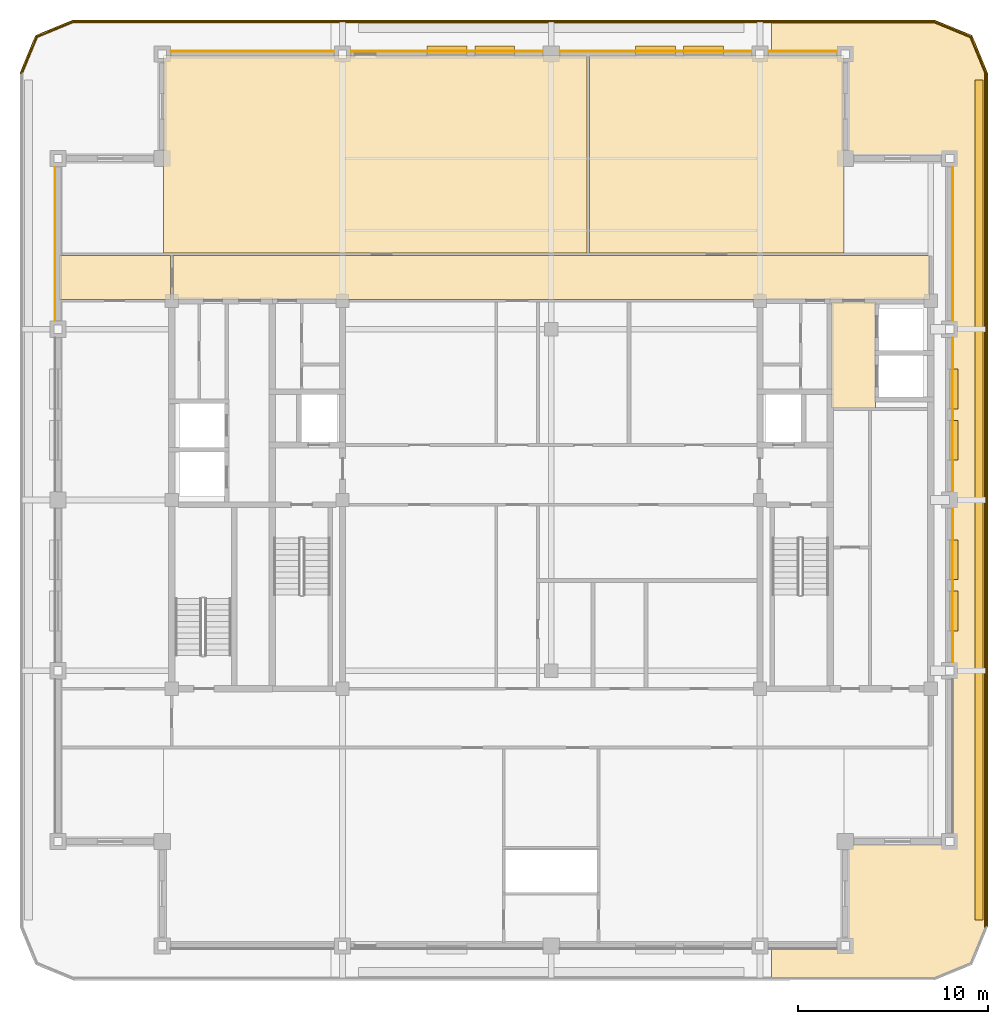
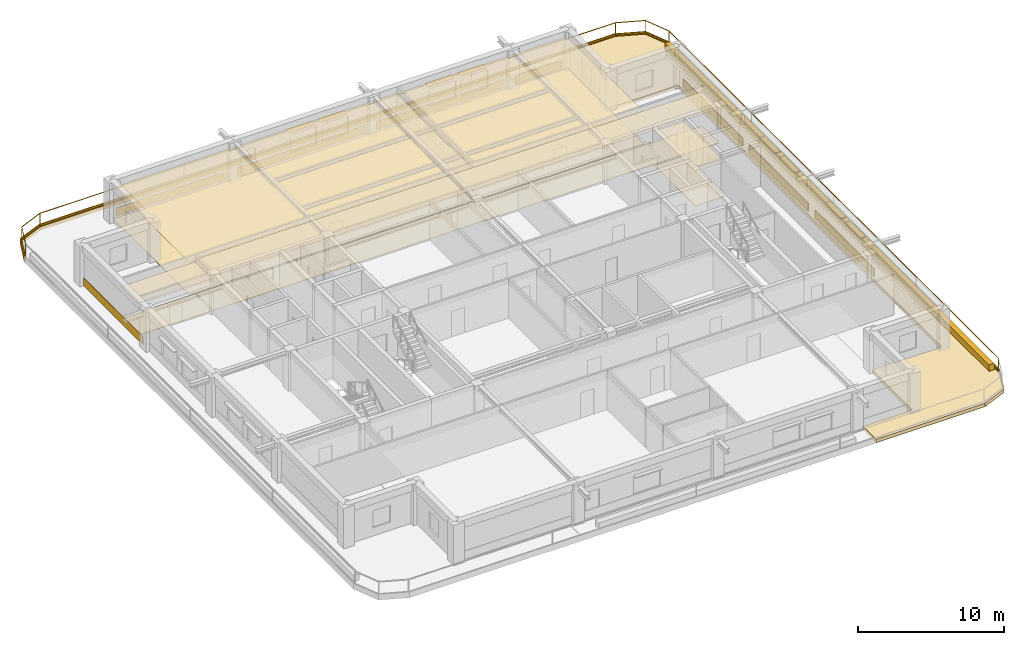
# One storey, part 11 of 11: 26 coverings, 8 shading devices, 2 railings.
"""IFC4 building model written with IfcOpenShell, lengths in metres."""

from ifc_helpers import new_model, si_unit, direction, frame, frame_2d, origin, origin_2d, place, context, subcontext, project, spatial, polyline, rectangle, outline, extrude, material, layer, layer_set, type_object, element, save


model = new_model("IFC4")

# Units and contexts
model_context = context("Model", 3, precision=1e-05, world=origin(), true_north=direction((0.0, 1.0)))
body_context = subcontext(model_context, "Body", "Model", "MODEL_VIEW")
ifc_project = project(units=[si_unit("LENGTHUNIT", "METRE"), si_unit("AREAUNIT", "SQUARE_METRE"), si_unit("VOLUMEUNIT", "CUBIC_METRE"), si_unit("PLANEANGLEUNIT", "RADIAN"), si_unit("MASSUNIT", "GRAM", prefix="KILO")], contexts=[model_context])

# Site, building, storey
site_placement = place(None, origin())
site = spatial("IfcSite", under=ifc_project, at=site_placement, CompositionType="ELEMENT")
building_placement = place(site_placement, origin())
building = spatial("IfcBuilding", under=site, at=building_placement, Name="Zulmaris Gate Convention Tower", CompositionType="ELEMENT")
storey_placement = place(building_placement, frame((0.0, 0.0, 274.320068359375)))
storey = spatial("IfcBuildingStorey", under=building, at=storey_placement, Name="L73", CompositionType="ELEMENT", Elevation=274.320068359375)

# Coverings
ifc_material_1 = material(Name="Precast concrete C40/50", Category="concrete")
ifc_layer_1 = layer(ifc_material_1, 0.0400390625, Name="Precast concrete C40/50")
ifc_layer_set_1 = layer_set([ifc_layer_1], Name="Precast concrete C40/50")
covering_type_1 = type_object("IfcCoveringType", Name="CLAD-SPANDREL-PRECAST", PredefinedType="CLADDING", material=ifc_layer_set_1)
covering_1_placement = place(storey_placement, frame((-11.455078125, 23.64990234375, 0.0), z_axis=(0.0, 0.0, 1.0), x_axis=(-1.0, 0.0, 0.0)))
element("IfcCovering", 1, at=covering_1_placement, inside=storey, type_object=covering_type_1, Name="CLD-L73-N-0_0", PredefinedType="CLADDING", context=body_context, shape_type="SweptSolid", body=[
    extrude(rectangle(XDim=8.58984375, YDim=0.0400390625, at=frame_2d((4.294921875, 0.0))), origin(), (0.0, 0.0, 1.0), 0.679931640625),
])
for number, where, z_axis, x_axis, name in (
    (2, (-0.455078125, 23.64990234375, 0.0), (0.0, 0.0, 1.0), (-1.0, 0.0, 0.0), "CLD-L73-N-1_0"),
    (3, (10.544921875, 23.64990234375, 0.0), (0.0, 0.0, 1.0), (-1.0, 0.0, 0.0), "CLD-L73-N-2_0"),
):
    element("IfcCovering", number, at=place(storey_placement, frame(where, z_axis=z_axis, x_axis=x_axis)), inside=storey, type_object=covering_type_1, Name=name, PredefinedType="CLADDING", context=body_context, shape_type="SweptSolid", body=[
        extrude(rectangle(XDim=10.08984375, YDim=0.0400390625, at=frame_2d((5.044921875, 0.0))), origin(), (0.0, 0.0, 1.0), 0.679931640625),
    ])
covering_2_placement = place(storey_placement, frame((15.044921875, 23.64990234375, 0.0), z_axis=(0.0, 0.0, 1.0), x_axis=(-1.0, 0.0, 0.0)))
element("IfcCovering", 4, at=covering_2_placement, inside=storey, type_object=covering_type_1, Name="CLD-L73-N-3_0", PredefinedType="CLADDING", context=body_context, shape_type="SweptSolid", body=[
    extrude(rectangle(XDim=3.58984375, YDim=0.0400390625, at=frame_2d((1.794921875, 0.0))), origin(), (0.0, 0.0, 1.0), 0.679931640625),
])
for number, where, z_axis, x_axis, name in (
    (5, (21.14990234375, -8.544921875, 0.0), (0.0, 0.0, 1.0), (0.0, 1.0, 0.0), "CLD-L73-E-1_0"),
    (6, (21.14990234375, 0.455078125, 0.0), (0.0, 0.0, 1.0), (0.0, 1.0, 0.0), "CLD-L73-E-2_0"),
    (7, (21.14990234375, 9.455078125, 0.0), (0.0, 0.0, 1.0), (0.0, 1.0, 0.0), "CLD-L73-E-3_0"),
    (8, (-26.14990234375, 17.544921875, 0.0), (0.0, 0.0, 1.0), (0.0, -1.0, 0.0), "CLD-L73-W-3_0"),
):
    element("IfcCovering", number, at=place(storey_placement, frame(where, z_axis=z_axis, x_axis=x_axis)), inside=storey, type_object=covering_type_1, Name=name, PredefinedType="CLADDING", context=body_context, shape_type="SweptSolid", body=[
        extrude(rectangle(XDim=8.08984375, YDim=0.0400390625, at=frame_2d((4.044921875, 0.0))), origin(), (0.0, 0.0, 1.0), 0.679931640625),
    ])
ifc_material_2 = material(Name="White Glazed Architectural Precast Concrete C40/50", Category="concrete")
ifc_layer_2 = layer(ifc_material_2, 0.239990234375, Name="White Glazed Architectural Precast Concrete C40/50")
ifc_layer_set_2 = layer_set([ifc_layer_2], Name="White Glazed Architectural Precast Concrete C40/50")
covering_type_2 = type_object("IfcCoveringType", Name="CLAD-TRAY-DECK", PredefinedType="CLADDING", material=ifc_layer_set_2)
covering_3_placement = place(storey_placement, frame((0.0, 0.0, -0.324951171875)))
element("IfcCovering", 9, at=covering_3_placement, inside=storey, type_object=covering_type_2, Name="L73 East Rounded-Fascia Planter Tray Deck", PredefinedType="CLADDING", context=body_context, shape_type="SweptSolid", body=[
    extrude(outline(polyline([(20.199951171875, 25.300048828125), (22.179931640625, 24.47998046875), (23.0, 22.5), (23.0, -22.5), (22.179931640625, -24.47998046875), (20.199951171875, -25.300048828125), (11.60205078125, -25.300048828125), (11.60205078125, -23.5), (15.5, -23.5), (15.5, -18.0), (21.0, -18.0), (21.0, 18.0), (15.5, 18.0), (15.5, 23.5), (11.60205078125, 23.5), (11.60205078125, 25.300048828125), (20.199951171875, 25.300048828125)])), origin(), (0.0, 0.0, 1.0), 0.284912109375),
])
ifc_layer_3 = layer(ifc_material_2, 0.080078125, Name="White Glazed Architectural Precast Concrete C40/50")
ifc_layer_set_3 = layer_set([ifc_layer_3], Name="White Glazed Architectural Precast Concrete C40/50")
covering_type_3 = type_object("IfcCoveringType", Name="CLAD-TRAY-FASCIA", PredefinedType="CLADDING", material=ifc_layer_set_3)
covering_4_placement = place(storey_placement, frame((22.9599609375, -22.5, -0.364990234375), z_axis=(0.0, 0.0, 1.0), x_axis=(0.0, 1.0, 0.0)))
element("IfcCovering", 10, at=covering_4_placement, inside=storey, type_object=covering_type_3, Name="FSC-L73-TR-05", PredefinedType="CLADDING", context=body_context, shape_type="SweptSolid", body=[
    extrude(rectangle(XDim=45.0, YDim=0.080078125, at=frame_2d((22.5, 0.0))), origin(), (0.0, 0.0, 1.0), 0.485107421875),
])
covering_5_placement = place(storey_placement, frame((22.962890625, 22.484619140625, -0.364990234375), z_axis=(0.0, 0.0, 1.0), x_axis=(-0.382656984709, 0.923890487046, 0.0)))
element("IfcCovering", 11, at=covering_5_placement, inside=storey, type_object=covering_type_3, Name="FSC-L73-TR-06", PredefinedType="CLADDING", context=body_context, shape_type="SweptSolid", body=[
    extrude(rectangle(XDim=2.14306640625, YDim=0.080078125, at=frame_2d((1.071533203125, 0.0))), origin(), (0.0, 0.0, 1.0), 0.485107421875),
])
covering_6_placement = place(storey_placement, frame((22.16455078125, 24.44287109375, -0.364990234375), z_axis=(0.0, 0.0, 1.0), x_axis=(-0.923873803533, 0.382697263049, 0.0)))
element("IfcCovering", 12, at=covering_6_placement, inside=storey, type_object=covering_type_3, Name="FSC-L73-TR-07", PredefinedType="CLADDING", context=body_context, shape_type="SweptSolid", body=[
    extrude(rectangle(XDim=2.142822265625, YDim=0.080078125, at=frame_2d((1.0712890625, 0.0))), origin(), (0.0, 0.0, 1.0), 0.485107421875),
])
covering_7_placement = place(storey_placement, frame((20.199951171875, 25.260009765625, -0.364990234375), z_axis=(0.0, 0.0, 1.0), x_axis=(-1.0, 0.0, 0.0)))
element("IfcCovering", 13, at=covering_7_placement, inside=storey, type_object=covering_type_3, Name="FSC-L73-TR-08", PredefinedType="CLADDING", context=body_context, shape_type="SweptSolid", body=[
    extrude(rectangle(XDim=45.39990234375, YDim=0.080078125, at=frame_2d((22.699951171875, 0.0))), origin(), (0.0, 0.0, 1.0), 0.485107421875),
])
covering_8_placement = place(storey_placement, frame((-25.184814453125, 25.262939453125, -0.364990234375), z_axis=(0.0, 0.0, 1.0), x_axis=(-0.923873803533, -0.382697263049, 0.0)))
element("IfcCovering", 14, at=covering_8_placement, inside=storey, type_object=covering_type_3, Name="FSC-L73-TR-09", PredefinedType="CLADDING", context=body_context, shape_type="SweptSolid", body=[
    extrude(rectangle(XDim=2.142822265625, YDim=0.080078125, at=frame_2d((1.0712890625, 0.0))), origin(), (0.0, 0.0, 1.0), 0.485107421875),
])
covering_9_placement = place(storey_placement, frame((-27.142822265625, 24.464599609375, -0.364990234375), z_axis=(0.0, 0.0, 1.0), x_axis=(-0.382656984709, -0.923890487046, 0.0)))
element("IfcCovering", 15, at=covering_9_placement, inside=storey, type_object=covering_type_3, Name="FSC-L73-TR-10", PredefinedType="CLADDING", context=body_context, shape_type="SweptSolid", body=[
    extrude(rectangle(XDim=2.14306640625, YDim=0.080078125, at=frame_2d((1.071533203125, 0.0))), origin(), (0.0, 0.0, 1.0), 0.485107421875),
])
ifc_material_3 = material(Name="Mineral Fibre Acoustic Ceiling Tile")
ifc_layer_4 = layer(ifc_material_3, 0.02001953125, Name="Mineral Fibre Acoustic Ceiling Tile")
ifc_layer_set_4 = layer_set([ifc_layer_4], Name="Mineral Fibre Acoustic Ceiling Tile")
covering_type_4 = type_object("IfcCoveringType", Name="CLG-ACOUSTIC-600", PredefinedType="CEILING", material=ifc_layer_set_4)
covering_10_placement = place(storey_placement, frame((0.0, 0.0, 2.873046875)))
element("IfcCovering", 16, at=covering_10_placement, inside=storey, type_object=covering_type_4, Name="CLG-L73-R26", PredefinedType="CEILING", context=body_context, shape_type="SweptSolid", body=[
    extrude(outline(polyline([(14.760009765625, 4.860107421875), (17.090087890625, 4.860107421875), (17.090087890625, 10.43994140625), (14.760009765625, 10.43994140625), (14.760009765625, 4.860107421875)])), origin(), (0.0, 0.0, 1.0), 0.02001953125),
])
covering_11_placement = place(storey_placement, frame((0.0, 0.0, 2.873046875)))
element("IfcCovering", 17, at=covering_11_placement, inside=storey, type_object=covering_type_4, Name="CLG-L73-R32", PredefinedType="CEILING", context=body_context, shape_type="SweptSolid", body=[
    extrude(outline(polyline([(-19.93994140625, 10.56005859375), (19.93994140625, 10.56005859375), (19.93994140625, 12.889892578125), (-19.93994140625, 12.889892578125), (-19.93994140625, 10.56005859375)])), origin(), (0.0, 0.0, 1.0), 0.02001953125),
])
covering_12_placement = place(storey_placement, frame((0.0, 0.0, 2.675048828125)))
element("IfcCovering", 18, at=covering_12_placement, inside=storey, type_object=covering_type_4, Name="CLG-L73-R37", PredefinedType="CEILING", context=body_context, shape_type="SweptSolid", body=[
    extrude(outline(polyline([(-20.43994140625, 13.010009765625), (1.889892578125, 13.010009765625), (1.889892578125, 23.43994140625), (-20.43994140625, 23.43994140625), (-20.43994140625, 13.010009765625)])), origin(), (0.0, 0.0, 1.0), 0.02001953125),
])
covering_13_placement = place(storey_placement, frame((0.0, 0.0, 2.675048828125)))
element("IfcCovering", 19, at=covering_13_placement, inside=storey, type_object=covering_type_4, Name="CLG-L73-R38", PredefinedType="CEILING", context=body_context, shape_type="SweptSolid", body=[
    extrude(outline(polyline([(2.010009765625, 13.010009765625), (15.43994140625, 13.010009765625), (15.43994140625, 23.43994140625), (2.010009765625, 23.43994140625), (2.010009765625, 13.010009765625)])), origin(), (0.0, 0.0, 1.0), 0.02001953125),
])
covering_14_placement = place(storey_placement, frame((0.0, 0.0, 2.675048828125)))
element("IfcCovering", 20, at=covering_14_placement, inside=storey, type_object=covering_type_4, Name="CLG-L73-R51", PredefinedType="CEILING", context=body_context, shape_type="SweptSolid", body=[
    extrude(outline(polyline([(-25.93994140625, 10.56005859375), (-20.06005859375, 10.56005859375), (-20.06005859375, 12.889892578125), (-25.93994140625, 12.889892578125), (-25.93994140625, 10.56005859375)])), origin(), (0.0, 0.0, 1.0), 0.02001953125),
])
ifc_material_4 = material(Name="Woven Acoustic Wool Carpet Tile")
ifc_layer_5 = layer(ifc_material_4, 0.02001953125, Name="Woven Acoustic Wool Carpet Tile")
ifc_layer_set_5 = layer_set([ifc_layer_5], Name="Woven Acoustic Wool Carpet Tile")
covering_type_5 = type_object("IfcCoveringType", Name="FLR-CARPET-12", PredefinedType="FLOORING", material=ifc_layer_set_5)
covering_15_placement = place(storey_placement, origin())
element("IfcCovering", 21, at=covering_15_placement, inside=storey, type_object=covering_type_5, Name="FLR-L73-R26", PredefinedType="FLOORING", context=body_context, shape_type="SweptSolid", body=[
    extrude(outline(polyline([(14.760009765625, 4.860107421875), (17.090087890625, 4.860107421875), (17.090087890625, 10.43994140625), (14.760009765625, 10.43994140625), (14.760009765625, 4.860107421875)])), origin(), (0.0, 0.0, 1.0), 0.02001953125),
])
covering_16_placement = place(storey_placement, origin())
element("IfcCovering", 22, at=covering_16_placement, inside=storey, type_object=covering_type_5, Name="FLR-L73-R32", PredefinedType="FLOORING", context=body_context, shape_type="SweptSolid", body=[
    extrude(outline(polyline([(-19.93994140625, 10.56005859375), (19.93994140625, 10.56005859375), (19.93994140625, 12.889892578125), (-19.93994140625, 12.889892578125), (-19.93994140625, 10.56005859375)])), origin(), (0.0, 0.0, 1.0), 0.02001953125),
])
covering_17_placement = place(storey_placement, origin())
element("IfcCovering", 23, at=covering_17_placement, inside=storey, type_object=covering_type_5, Name="FLR-L73-R38", PredefinedType="FLOORING", context=body_context, shape_type="SweptSolid", body=[
    extrude(outline(polyline([(2.010009765625, 13.010009765625), (15.43994140625, 13.010009765625), (15.43994140625, 23.43994140625), (2.010009765625, 23.43994140625), (2.010009765625, 13.010009765625)])), origin(), (0.0, 0.0, 1.0), 0.02001953125),
])
covering_18_placement = place(storey_placement, origin())
element("IfcCovering", 24, at=covering_18_placement, inside=storey, type_object=covering_type_5, Name="FLR-L73-R51", PredefinedType="FLOORING", context=body_context, shape_type="SweptSolid", body=[
    extrude(outline(polyline([(-25.93994140625, 10.56005859375), (-20.06005859375, 10.56005859375), (-20.06005859375, 12.889892578125), (-25.93994140625, 12.889892578125), (-25.93994140625, 10.56005859375)])), origin(), (0.0, 0.0, 1.0), 0.02001953125),
])
ifc_material_5 = material(Name="Engineered Teak Parquet Flooring")
ifc_layer_6 = layer(ifc_material_5, 0.02001953125, Name="Engineered Teak Parquet Flooring")
ifc_layer_set_6 = layer_set([ifc_layer_6], Name="Engineered Teak Parquet Flooring")
covering_type_6 = type_object("IfcCoveringType", Name="FLR-TIMBER-18", PredefinedType="FLOORING", material=ifc_layer_set_6)
covering_19_placement = place(storey_placement, origin())
element("IfcCovering", 25, at=covering_19_placement, inside=storey, type_object=covering_type_6, Name="FLR-L73-R37", PredefinedType="FLOORING", context=body_context, shape_type="SweptSolid", body=[
    extrude(outline(polyline([(-20.43994140625, 13.010009765625), (1.889892578125, 13.010009765625), (1.889892578125, 23.43994140625), (-20.43994140625, 23.43994140625), (-20.43994140625, 13.010009765625)])), origin(), (0.0, 0.0, 1.0), 0.02001953125),
])
ifc_material_6 = material(Name="Botanical Green Glazed Precast Concrete C40/50", Category="concrete")
ifc_layer_7 = layer(ifc_material_6, 0.419921875, Name="Botanical Green Glazed Precast Concrete C40/50")
ifc_layer_set_7 = layer_set([ifc_layer_7], Name="Botanical Green Glazed Precast Concrete C40/50")
covering_type_7 = type_object("IfcCoveringType", Name="PLANTER-BOX-200", PredefinedType="CLADDING", material=ifc_layer_set_7)
covering_20_placement = place(storey_placement, frame((0.0, 0.0, -0.0400390625)))
element("IfcCovering", 26, at=covering_20_placement, inside=storey, type_object=covering_type_7, Name="L73 E Full-Length Balcony Tree Planter Trough", PredefinedType="CLADDING", context=body_context, shape_type="SweptSolid", body=[
    extrude(outline(polyline([(22.340087890625, -22.14990234375), (22.760009765625, -22.14990234375), (22.760009765625, 22.14990234375), (22.340087890625, 22.14990234375), (22.340087890625, -22.14990234375)])), origin(), (0.0, 0.0, 1.0), 0.52001953125),
])

# Railings
ifc_material_7 = material(Name="Laminated Glass and Stainless Steel", Category="steel")
railing_type = type_object("IfcRailingType", Name="RL-BALC-1150", PredefinedType="BALUSTRADE", material=ifc_material_7)
railing_1_placement = place(storey_placement, frame((22.8798828125, -22.5, -0.0400390625)))
element("IfcRailing", 27, at=railing_1_placement, inside=storey, type_object=railing_type, Name="RL-L73-BALC-E", PredefinedType="BALUSTRADE", context=body_context, shape_type="SweptSolid", body=[
    extrude(rectangle(XDim=0.048095703125, YDim=0.048095703125, at=origin_2d()), frame((0.0, 0.0, 1.1259765625), z_axis=(0.0, 1.0, 0.0), x_axis=(-1.0, 0.0, 0.0)), (0.0, 0.0, 1.0), 45.0),
    extrude(rectangle(XDim=0.048095703125, YDim=0.048095703125, at=origin_2d()), frame((0.0, 0.0, 0.02392578125), z_axis=(0.0, 1.0, 0.0), x_axis=(-1.0, 0.0, 0.0)), (0.0, 0.0, 1.0), 45.0),
    extrude(rectangle(XDim=0.0419921875, YDim=0.0419921875, at=origin_2d()), origin(), (0.0, 0.0, 1.0), 1.101806640625),
    extrude(rectangle(XDim=0.0419921875, YDim=0.0419921875, at=origin_2d()), frame((0.0, 11.25, 0.0)), (0.0, 0.0, 1.0), 1.101806640625),
    extrude(rectangle(XDim=0.0419921875, YDim=0.0419921875, at=origin_2d()), frame((0.0, 22.5, 0.0)), (0.0, 0.0, 1.0), 1.101806640625),
    extrude(rectangle(XDim=0.0419921875, YDim=0.0419921875, at=origin_2d()), frame((0.0, 33.75, 0.0)), (0.0, 0.0, 1.0), 1.101806640625),
    extrude(rectangle(XDim=0.0419921875, YDim=0.0419921875, at=origin_2d()), frame((0.0, 45.0, 0.0)), (0.0, 0.0, 1.0), 1.101806640625),
])
railing_2_placement = place(storey_placement, frame((22.8798828125, 22.5, -0.0400390625)))
element("IfcRailing", 28, at=railing_2_placement, inside=storey, type_object=railing_type, Name="RL-L73-BALC-N", PredefinedType="BALUSTRADE", context=body_context, shape_type="SweptSolid", body=[
    extrude(rectangle(XDim=0.048095703125, YDim=0.048095703125, at=origin_2d()), frame((0.0, 0.0, 1.1259765625), z_axis=(-0.382670664694, 0.92388482095, 0.0), x_axis=(-0.92388482095, -0.382670664694, 0.0)), (0.0, 0.0, 1.0), 2.051025390625),
    extrude(rectangle(XDim=0.048095703125, YDim=0.048095703125, at=origin_2d()), frame((0.0, 0.0, 0.02392578125), z_axis=(-0.382670664694, 0.92388482095, 0.0), x_axis=(-0.92388482095, -0.382670664694, 0.0)), (0.0, 0.0, 1.0), 2.051025390625),
    extrude(rectangle(XDim=0.048095703125, YDim=0.048095703125, at=origin_2d()), frame((-0.784912109375, 1.89501953125, 1.1259765625), z_axis=(-0.92388482095, 0.382670664694, 0.0), x_axis=(-0.382670664694, -0.92388482095, 0.0)), (0.0, 0.0, 1.0), 2.051025390625),
    extrude(rectangle(XDim=0.048095703125, YDim=0.048095703125, at=origin_2d()), frame((-0.784912109375, 1.89501953125, 0.02392578125), z_axis=(-0.92388482095, 0.382670664694, 0.0), x_axis=(-0.382670664694, -0.92388482095, 0.0)), (0.0, 0.0, 1.0), 2.051025390625),
    extrude(rectangle(XDim=0.048095703125, YDim=0.048095703125, at=origin_2d()), frame((-2.679931640625, 2.679931640625, 1.1259765625), z_axis=(-1.0, 0.0, 0.0), x_axis=(0.0, -1.0, 0.0)), (0.0, 0.0, 1.0), 45.39990234375),
    extrude(rectangle(XDim=0.048095703125, YDim=0.048095703125, at=origin_2d()), frame((-2.679931640625, 2.679931640625, 0.02392578125), z_axis=(-1.0, 0.0, 0.0), x_axis=(0.0, -1.0, 0.0)), (0.0, 0.0, 1.0), 45.39990234375),
    extrude(rectangle(XDim=0.048095703125, YDim=0.048095703125, at=origin_2d()), frame((-48.079833984375, 2.679931640625, 1.1259765625), z_axis=(-0.92388482095, -0.382670664694, 0.0), x_axis=(0.382670664694, -0.92388482095, 0.0)), (0.0, 0.0, 1.0), 2.051025390625),
    extrude(rectangle(XDim=0.048095703125, YDim=0.048095703125, at=origin_2d()), frame((-48.079833984375, 2.679931640625, 0.02392578125), z_axis=(-0.92388482095, -0.382670664694, 0.0), x_axis=(0.382670664694, -0.92388482095, 0.0)), (0.0, 0.0, 1.0), 2.051025390625),
    extrude(rectangle(XDim=0.048095703125, YDim=0.048095703125, at=origin_2d()), frame((-49.974853515625, 1.89501953125, 1.1259765625), z_axis=(-0.382670664694, -0.92388482095, 0.0), x_axis=(0.92388482095, -0.382670664694, 0.0)), (0.0, 0.0, 1.0), 2.051025390625),
    extrude(rectangle(XDim=0.048095703125, YDim=0.048095703125, at=origin_2d()), frame((-49.974853515625, 1.89501953125, 0.02392578125), z_axis=(-0.382670664694, -0.92388482095, 0.0), x_axis=(0.92388482095, -0.382670664694, 0.0)), (0.0, 0.0, 1.0), 2.051025390625),
    extrude(rectangle(XDim=0.0419921875, YDim=0.0419921875, at=origin_2d()), origin(), (0.0, 0.0, 1.0), 1.101806640625),
    extrude(rectangle(XDim=0.0419921875, YDim=0.0419921875, at=origin_2d()), frame((-0.784912109375, 1.89501953125, 0.0)), (0.0, 0.0, 1.0), 1.101806640625),
    extrude(rectangle(XDim=0.0419921875, YDim=0.0419921875, at=origin_2d()), frame((-2.679931640625, 2.679931640625, 0.0)), (0.0, 0.0, 1.0), 1.101806640625),
    extrude(rectangle(XDim=0.0419921875, YDim=0.0419921875, at=origin_2d()), frame((-14.02978515625, 2.679931640625, 0.0)), (0.0, 0.0, 1.0), 1.101806640625),
    extrude(rectangle(XDim=0.0419921875, YDim=0.0419921875, at=origin_2d()), frame((-25.3798828125, 2.679931640625, 0.0)), (0.0, 0.0, 1.0), 1.101806640625),
    extrude(rectangle(XDim=0.0419921875, YDim=0.0419921875, at=origin_2d()), frame((-36.72998046875, 2.679931640625, 0.0)), (0.0, 0.0, 1.0), 1.101806640625),
    extrude(rectangle(XDim=0.0419921875, YDim=0.0419921875, at=origin_2d()), frame((-48.079833984375, 2.679931640625, 0.0)), (0.0, 0.0, 1.0), 1.101806640625),
    extrude(rectangle(XDim=0.0419921875, YDim=0.0419921875, at=origin_2d()), frame((-49.974853515625, 1.89501953125, 0.0)), (0.0, 0.0, 1.0), 1.101806640625),
    extrude(rectangle(XDim=0.0419921875, YDim=0.0419921875, at=origin_2d()), frame((-50.759765625, 0.0, 0.0)), (0.0, 0.0, 1.0), 1.101806640625),
])

# Shading devices
ifc_material_8 = material(Name="Glazed Ceramic Terracotta", Category="masonry")
ifc_layer_8 = layer(ifc_material_8, 0.070068359375, Name="Glazed Ceramic Terracotta")
ifc_layer_set_8 = layer_set([ifc_layer_8], Name="Glazed Ceramic Terracotta")
shading_device_type = type_object("IfcShadingDeviceType", Name="SHD-SUNSHADE-TC", PredefinedType="AWNING", material=ifc_layer_set_8)
for number, where, z_axis, x_axis, name in (
    (29, (-1.927001953125, 23.719970703125, 2.22998046875), (0.0, 0.0, 1.0), (-1.0, 0.0, 0.0), "SHD-EW-L73-N-1_0-1"),
    (30, (-4.449951171875, 23.719970703125, 2.22998046875), (0.0, 0.0, 1.0), (-1.0, 0.0, 0.0), "SHD-EW-L73-N-1_0-2"),
    (31, (9.072998046875, 23.719970703125, 2.22998046875), (0.0, 0.0, 1.0), (-1.0, 0.0, 0.0), "SHD-EW-L73-N-2_0-1"),
    (32, (6.550048828125, 23.719970703125, 2.22998046875), (0.0, 0.0, 1.0), (-1.0, 0.0, 0.0), "SHD-EW-L73-N-2_0-2"),
):
    element("IfcShadingDevice", number, at=place(storey_placement, frame(where, z_axis=z_axis, x_axis=x_axis)), inside=storey, type_object=shading_device_type, Name=name, PredefinedType="AWNING", context=body_context, shape_type="SweptSolid", body=[
        extrude(rectangle(XDim=2.10009765625, YDim=0.43994140625, at=frame_2d((1.050048828125, 0.0))), origin(), (0.0, 0.0, 1.0), 0.070068359375),
    ])
for number, where, z_axis, x_axis, name in (
    (33, (21.219970703125, -6.89794921875, 2.22998046875), (0.0, 0.0, 1.0), (0.0, 1.0, 0.0), "SHD-EW-L73-E-1_0-1"),
    (34, (21.219970703125, -4.201904296875, 2.22998046875), (0.0, 0.0, 1.0), (0.0, 1.0, 0.0), "SHD-EW-L73-E-1_0-2"),
    (35, (21.219970703125, 2.10205078125, 2.22998046875), (0.0, 0.0, 1.0), (0.0, 1.0, 0.0), "SHD-EW-L73-E-2_0-1"),
    (36, (21.219970703125, 4.798095703125, 2.22998046875), (0.0, 0.0, 1.0), (0.0, 1.0, 0.0), "SHD-EW-L73-E-2_0-2"),
):
    element("IfcShadingDevice", number, at=place(storey_placement, frame(where, z_axis=z_axis, x_axis=x_axis)), inside=storey, type_object=shading_device_type, Name=name, PredefinedType="AWNING", context=body_context, shape_type="SweptSolid", body=[
        extrude(rectangle(XDim=2.099853515625, YDim=0.43994140625, at=frame_2d((1.0498046875, 0.0))), origin(), (0.0, 0.0, 1.0), 0.070068359375),
    ])

save(model, "model.ifc")
